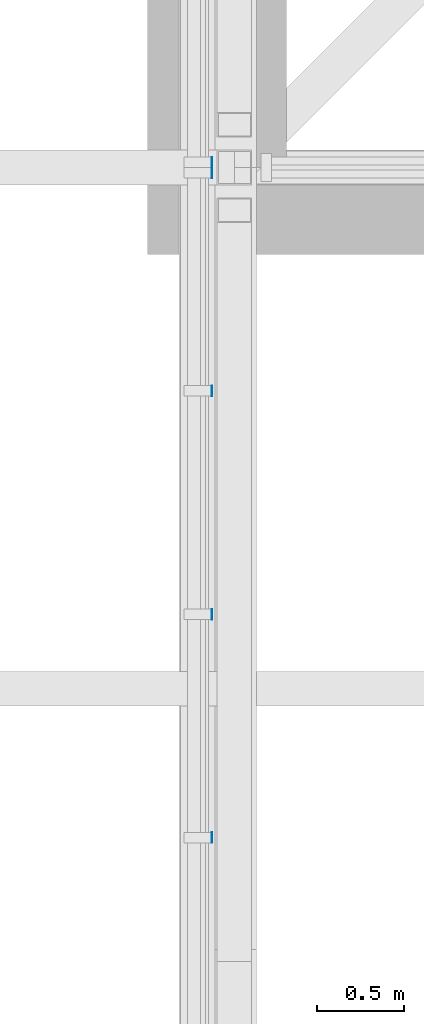
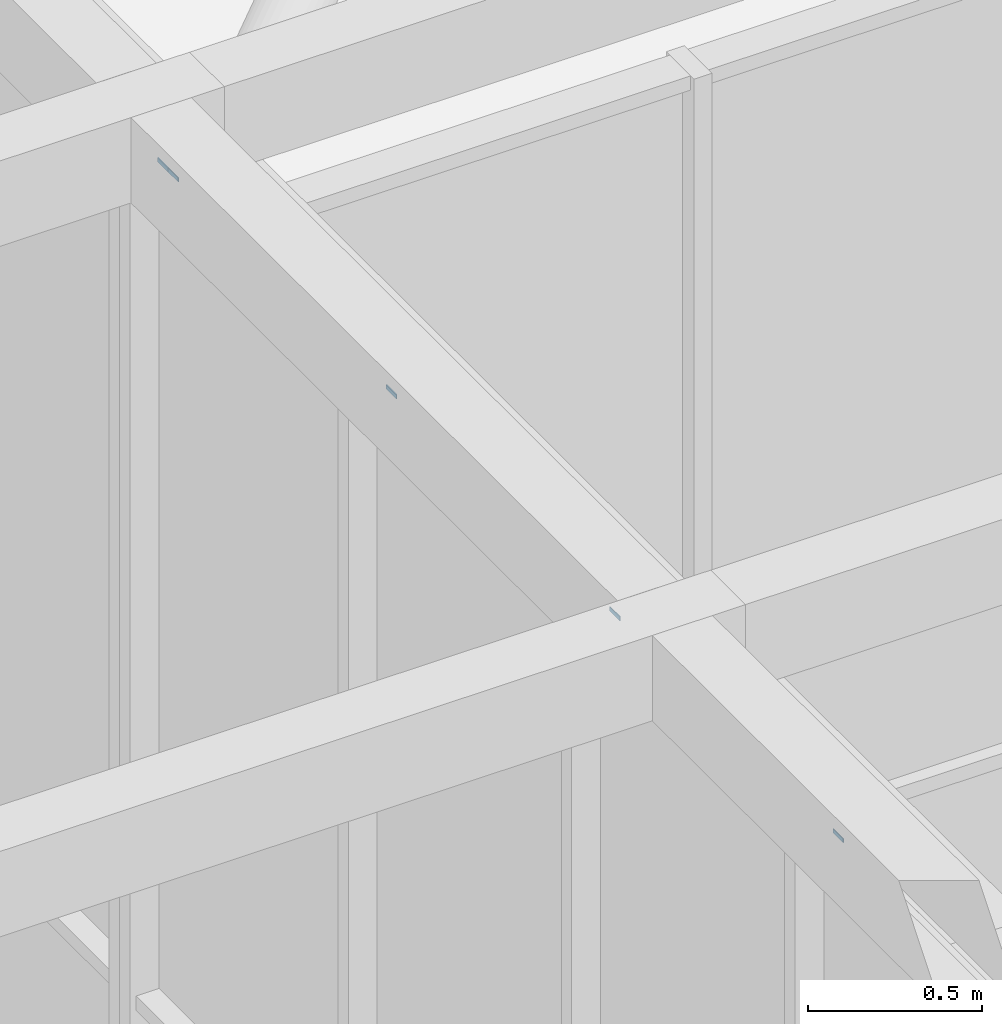
# One storey, part 237 of 646: 5 discrete accessories.
"""IFC4 building model written with IfcOpenShell, lengths in metres."""

from ifc_helpers import new_model, si_unit, direction, frame, origin, origin_2d, place, context, subcontext, project, spatial, rectangle, extrude, material, type_object, element, save


model = new_model("IFC4")

# Units and contexts
model_context = context("Model", 3, precision=1e-05, world=origin(), true_north=direction((0.0, 1.0)))
body_context = subcontext(model_context, "Body", "Model", "MODEL_VIEW")
ifc_project = project(units=[si_unit("LENGTHUNIT", "METRE"), si_unit("AREAUNIT", "SQUARE_METRE"), si_unit("VOLUMEUNIT", "CUBIC_METRE"), si_unit("PLANEANGLEUNIT", "RADIAN"), si_unit("MASSUNIT", "GRAM", prefix="KILO")], contexts=[model_context])

# Site, building, storey
site_placement = place(None, origin())
site = spatial("IfcSite", under=ifc_project, at=site_placement, CompositionType="ELEMENT")
building_placement = place(site_placement, origin())
building = spatial("IfcBuilding", under=site, at=building_placement, Name="Silverbay Arena", CompositionType="ELEMENT")
storey_placement = place(building_placement, frame((0.0, 0.0, 33.5)))
storey = spatial("IfcBuildingStorey", under=building, at=storey_placement, Name="L05", CompositionType="ELEMENT", Elevation=33.5)

# Discrete accessories
ifc_material = material(Name="Steel S355", Category="steel")
discrete_accessory_type = type_object("IfcDiscreteAccessoryType", Name="Steel bracket plate", PredefinedType="BRACKET", material=ifc_material)
for number, where, z_axis, x_axis, name in (
    (1, (53.871337890625, 14.142822265625, 12.98583984375), (0.0, 0.0, 1.0), (1.0, 0.0, 0.0), "Curtain wall packing plate"),
    (2, (53.871337890625, 15.428466796875, 12.98583984375), (0.0, 0.0, 1.0), (1.0, 0.0, 0.0), "Curtain wall packing plate"),
    (3, (53.871337890625, 16.71435546875, 12.98583984375), (0.0, 0.0, 1.0), (1.0, 0.0, 0.0), "Curtain wall packing plate"),
    (4, (53.871337890625, 17.969970703125, 12.98583984375), (0.0, 0.0, 1.0), (1.0, 0.0, 0.0), "Curtain wall packing plate"),
    (5, (53.871337890625, 18.030029296875, 12.98583984375), (0.0, 0.0, 1.0), (1.0, 0.0, 0.0), "Curtain wall packing plate"),
):
    element("IfcDiscreteAccessory", number, at=place(storey_placement, frame(where, z_axis=z_axis, x_axis=x_axis)), inside=storey, type_object=discrete_accessory_type, Name=name, PredefinedType="BRACKET", context=body_context, shape_type="SweptSolid", body=[
        extrude(rectangle(XDim=0.002685546875, YDim=0.06005859375, at=origin_2d()), origin(), (0.0, 0.0, 1.0), 0.01416015625),
    ])

save(model, "model.ifc")
